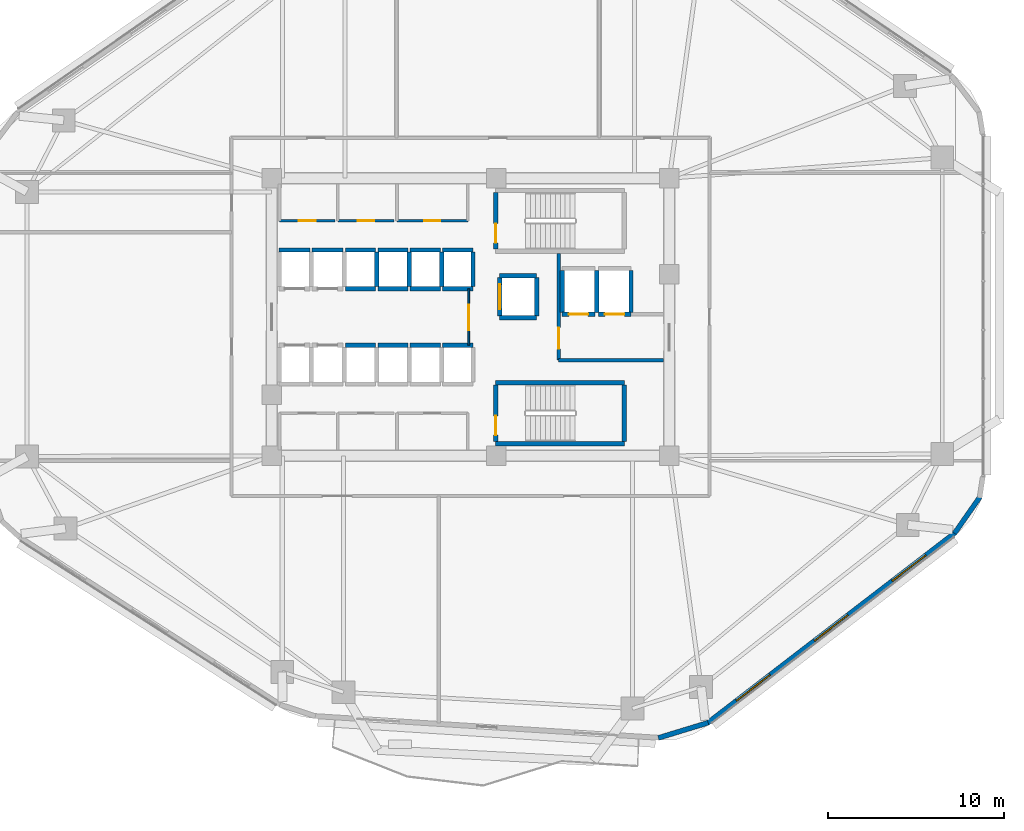
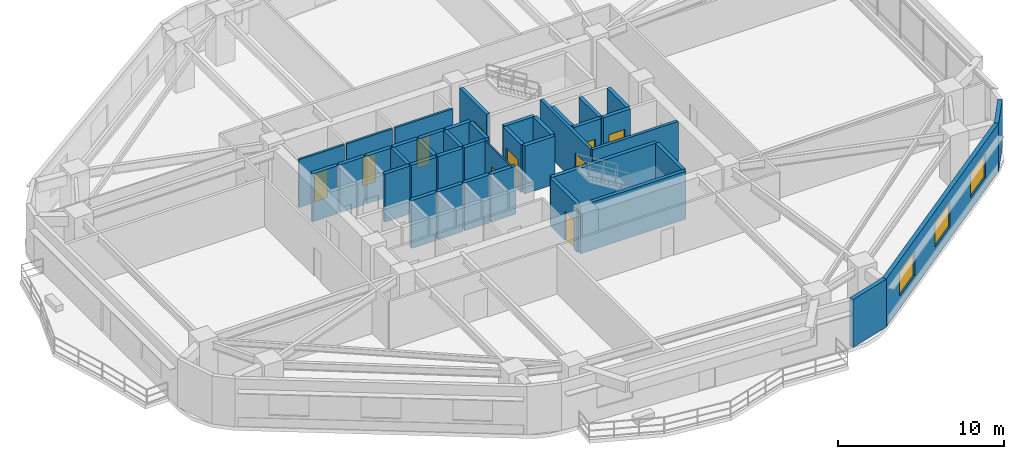
# One storey, part 9 of 14: 41 walls, 10 doors, 3 windows, 13 openings.
"""IFC4 building model written with IfcOpenShell, lengths in metres."""

from ifc_helpers import new_model, si_unit, direction, frame, frame_2d, origin, place, context, subcontext, project, spatial, rectangle, extrude, material, layer, layer_set, type_object, element, fill, save


model = new_model("IFC4")

# Units and contexts
model_context = context("Model", 3, precision=1e-05, world=origin(), true_north=direction((0.0, 1.0)))
body_context = subcontext(model_context, "Body", "Model", "MODEL_VIEW")
ifc_project = project(units=[si_unit("LENGTHUNIT", "METRE"), si_unit("AREAUNIT", "SQUARE_METRE"), si_unit("VOLUMEUNIT", "CUBIC_METRE"), si_unit("PLANEANGLEUNIT", "RADIAN"), si_unit("MASSUNIT", "GRAM", prefix="KILO")], contexts=[model_context])

# Site, building, storey
site_placement = place(None, origin())
site = spatial("IfcSite", under=ifc_project, at=site_placement, CompositionType="ELEMENT")
building_placement = place(site_placement, origin())
building = spatial("IfcBuilding", under=site, at=building_placement, Name="Zulverin Broadcast Headquarters", CompositionType="ELEMENT")
storey_placement = place(building_placement, frame((0.0, 0.0, 40.199951171875)))
storey = spatial("IfcBuildingStorey", under=building, at=storey_placement, Name="L09", CompositionType="ELEMENT", Elevation=40.199951171875)

# Wall, openings, windows
ifc_material_1 = material(Name="Insulated pale-metal clad concrete spandrel C40/50", Category="concrete")
ifc_layer_1 = layer(ifc_material_1, 0.280029296875, Name="Insulated pale-metal clad concrete spandrel C40/50", Category="concrete")
ifc_layer_set_1 = layer_set([ifc_layer_1], Name="Insulated pale-metal clad concrete spandrel C40/50")
wall_type_1 = type_object("IfcWallType", Name="WL-EXT-280", PredefinedType="STANDARD", material=ifc_layer_set_1)
wall_1_placement = place(storey_placement, frame((50.4287109375, 2.171630859375, 0.0), z_axis=(0.0, 0.0, 1.0), x_axis=(0.792937466367, 0.609303023488, 0.0)))
wall_1 = element("IfcWall", 1, at=wall_1_placement, inside=storey, type_object=wall_type_1, Name="L09 Pale-Metal Clad Spandrel Wall 2", PredefinedType="STANDARD", context=body_context, shape_type="SweptSolid", body=[
    extrude(rectangle(XDim=17.712890625, YDim=0.280029296875, at=frame_2d((8.8564453125, 0.0))), origin(), (0.0, 0.0, 1.0), 3.525146484375),
])
opening_1_placement = place(wall_1_placement, frame((2.08544921875, 0.0, 0.89990234375)))
opening_1 = element("IfcOpeningElement", 2, at=opening_1_placement, cuts=wall_1, Name="Opening W-L09-E21", PredefinedType="OPENING", context=body_context, shape_type="SweptSolid", body=[
    extrude(rectangle(XDim=2.39990234375, YDim=1.75, at=frame_2d((1.199951171875, 0.875))), frame((0.0, 0.14990234375, 0.0), z_axis=(0.0, -1.0, 0.0), x_axis=(1.0, 0.0, 0.0)), (0.0, 0.0, 1.0), 0.300048828125),
])
opening_2_placement = place(wall_1_placement, frame((7.656494140625, 0.0, 0.89990234375)))
opening_2 = element("IfcOpeningElement", 3, at=opening_2_placement, cuts=wall_1, Name="Opening W-L09-E22", PredefinedType="OPENING", context=body_context, shape_type="SweptSolid", body=[
    extrude(rectangle(XDim=2.39990234375, YDim=1.75, at=frame_2d((1.199951171875, 0.875))), frame((0.0, 0.14990234375, 0.0), z_axis=(0.0, -1.0, 0.0), x_axis=(1.0, 0.0, 0.0)), (0.0, 0.0, 1.0), 0.300048828125),
])
opening_3_placement = place(wall_1_placement, frame((13.227294921875, 0.0, 0.89990234375)))
opening_3 = element("IfcOpeningElement", 4, at=opening_3_placement, cuts=wall_1, Name="Opening W-L09-E23", PredefinedType="OPENING", context=body_context, shape_type="SweptSolid", body=[
    extrude(rectangle(XDim=2.39990234375, YDim=1.75, at=frame_2d((1.199951171875, 0.875))), frame((0.0, 0.14990234375, 0.0), z_axis=(0.0, -1.0, 0.0), x_axis=(1.0, 0.0, 0.0)), (0.0, 0.0, 1.0), 0.300048828125),
])
ifc_material_2 = material(Name="Pale anodized aluminium frame with solar-control low-E double glazing", Category="aluminium")
window_type = type_object("IfcWindowType", Name="WIN-RIB-2400", PartitioningType="SINGLE_PANEL", PredefinedType="WINDOW", material=ifc_material_2)
window_1_placement = place(opening_1_placement, origin())
window_1 = element("IfcWindow", 5, at=window_1_placement, inside=storey, type_object=window_type, Name="L09 Ribbon Glazing Window 2 1", OverallHeight=1.75, OverallWidth=2.39990234375, PartitioningType="SINGLE_PANEL", PredefinedType="WINDOW", context=body_context, shape_type="SweptSolid", body=[
    extrude(rectangle(XDim=2.39990234375, YDim=1.75, at=frame_2d((1.199951171875, 0.875))), frame((0.0, 0.030029296875, 0.0), z_axis=(0.0, -1.0, 0.0), x_axis=(1.0, 0.0, 0.0)), (0.0, 0.0, 1.0), 0.06005859375),
])
fill(opening_1, window_1)
window_2_placement = place(opening_2_placement, origin())
window_2 = element("IfcWindow", 6, at=window_2_placement, inside=storey, type_object=window_type, Name="L09 Ribbon Glazing Window 2 2", OverallHeight=1.75, OverallWidth=2.39990234375, PartitioningType="SINGLE_PANEL", PredefinedType="WINDOW", context=body_context, shape_type="SweptSolid", body=[
    extrude(rectangle(XDim=2.39990234375, YDim=1.75, at=frame_2d((1.199951171875, 0.875))), frame((0.0, 0.030029296875, 0.0), z_axis=(0.0, -1.0, 0.0), x_axis=(1.0, 0.0, 0.0)), (0.0, 0.0, 1.0), 0.06005859375),
])
fill(opening_2, window_2)
window_3_placement = place(opening_3_placement, origin())
window_3 = element("IfcWindow", 7, at=window_3_placement, inside=storey, type_object=window_type, Name="L09 Ribbon Glazing Window 2 3", OverallHeight=1.75, OverallWidth=2.39990234375, PartitioningType="SINGLE_PANEL", PredefinedType="WINDOW", context=body_context, shape_type="SweptSolid", body=[
    extrude(rectangle(XDim=2.39990234375, YDim=1.75, at=frame_2d((1.199951171875, 0.875))), frame((0.0, 0.030029296875, 0.0), z_axis=(0.0, -1.0, 0.0), x_axis=(1.0, 0.0, 0.0)), (0.0, 0.0, 1.0), 0.06005859375),
])
fill(opening_3, window_3)

# Walls
wall_2_placement = place(storey_placement, frame((47.649658203125, 1.3330078125, 0.0), z_axis=(0.0, 0.0, 1.0), x_axis=(0.956461287977, 0.291859220516, 0.0)))
element("IfcWall", 8, at=wall_2_placement, inside=storey, type_object=wall_type_1, Name="L09 Wind-Shaped Corner Spandrel Wall 1-1", PredefinedType="STANDARD", context=body_context, shape_type="SweptSolid", body=[
    extrude(rectangle(XDim=2.951904296875, YDim=0.280029296875, at=frame_2d((1.47607421875, 0.0))), origin(), (0.0, 0.0, 1.0), 3.525146484375),
])
wall_3_placement = place(storey_placement, frame((64.4443359375, 12.933349609375, 0.0), z_axis=(0.0, 0.0, 1.0), x_axis=(0.573176686443, 0.819431806875, 0.0)))
element("IfcWall", 9, at=wall_3_placement, inside=storey, type_object=wall_type_1, Name="L09 Wind-Shaped Corner Spandrel Wall 2-1", PredefinedType="STANDARD", context=body_context, shape_type="SweptSolid", body=[
    extrude(rectangle(XDim=2.524169921875, YDim=0.280029296875, at=frame_2d((1.26220703125, 0.0))), origin(), (0.0, 0.0, 1.0), 3.525146484375),
])

# Wall, opening, door
ifc_material_3 = material(Name="Concrete C40/50", Category="concrete")
ifc_layer_2 = layer(ifc_material_3, 0.199951171875, Name="Concrete C40/50", Category="concrete")
ifc_layer_set_2 = layer_set([ifc_layer_2], Name="Concrete C40/50")
wall_type_2 = type_object("IfcWallType", Name="WL-FFL-200", PredefinedType="SOLIDWALL", material=ifc_layer_set_2)
wall_4_placement = place(storey_placement, frame((42.0, 22.75, 0.0), z_axis=(0.0, 0.0, 1.0), x_axis=(0.0, 1.0, 0.0)))
wall_4 = element("IfcWall", 10, at=wall_4_placement, inside=storey, type_object=wall_type_2, Name="L09 Firefighting Lift Lobby West Wall", PredefinedType="SOLIDWALL", context=body_context, shape_type="SweptSolid", body=[
    extrude(rectangle(XDim=6.050048828125, YDim=0.199951171875, at=frame_2d((3.02490234375, 0.0))), origin(), (0.0, 0.0, 1.0), 3.525146484375),
])
opening_4_placement = place(wall_4_placement, frame((0.64990234375, 0.0, 0.0)))
opening_4 = element("IfcOpeningElement", 11, at=opening_4_placement, cuts=wall_4, Name="Opening D-L09-FFLW", PredefinedType="OPENING", context=body_context, shape_type="SweptSolid", body=[
    extrude(rectangle(XDim=1.199951171875, YDim=2.14990234375, at=frame_2d((0.60009765625, 1.074951171875))), frame((0.0, 0.10986328125, 0.0), z_axis=(0.0, -1.0, 0.0), x_axis=(1.0, 0.0, 0.0)), (0.0, 0.0, 1.0), 0.219970703125),
])
ifc_material_4 = material(Name="Fire-rated steel leaf and frame", Category="steel")
door_type_1 = type_object("IfcDoorType", Name="DR-FFL-1200", OperationType="SINGLE_SWING_RIGHT", PredefinedType="DOOR", material=ifc_material_4)
door_1_placement = place(opening_4_placement, origin())
door_1 = element("IfcDoor", 12, at=door_1_placement, inside=storey, type_object=door_type_1, Name="L09 Firefighting Lift Lobby Door", OperationType="SINGLE_SWING_RIGHT", OverallHeight=2.14990234375, OverallWidth=1.199951171875, PredefinedType="DOOR", context=body_context, shape_type="SweptSolid", body=[
    extrude(rectangle(XDim=1.199951171875, YDim=2.14990234375, at=frame_2d((0.60009765625, 1.074951171875))), frame((0.0, 0.02490234375, 0.0), z_axis=(0.0, -1.0, 0.0), x_axis=(1.0, 0.0, 0.0)), (0.0, 0.0, 1.0), 0.050048828125),
])
fill(opening_4, door_1)

# Wall
wall_5_placement = place(storey_placement, frame((42.0, 22.75, 0.0), z_axis=(0.0, 0.0, 1.0), x_axis=(1.0, 0.0, 0.0)))
element("IfcWall", 13, at=wall_5_placement, inside=storey, type_object=wall_type_2, Name="L09 Firefighting Lift Lobby South Wall", PredefinedType="SOLIDWALL", context=body_context, shape_type="SweptSolid", body=[
    extrude(rectangle(XDim=5.949951171875, YDim=0.199951171875, at=frame_2d((2.97509765625, 0.0))), origin(), (0.0, 0.0, 1.0), 3.525146484375),
])

# Wall, opening, door
ifc_material_5 = material(Name="Fire-rated acoustic laminated glass screen", Category="glass")
ifc_layer_3 = layer(ifc_material_5, 0.10009765625, Name="Fire-rated acoustic laminated glass screen", Category="glass")
ifc_layer_set_3 = layer_set([ifc_layer_3], Name="Fire-rated acoustic laminated glass screen")
wall_type_3 = type_object("IfcWallType", Name="WL-GLAZ-100", PredefinedType="PARTITIONING", material=ifc_layer_set_3)
wall_6_placement = place(storey_placement, frame((36.89990234375, 23.60009765625, 0.0), z_axis=(0.0, 0.0, 1.0), x_axis=(0.0, 1.0, 0.0)))
wall_6 = element("IfcWall", 14, at=wall_6_placement, inside=storey, type_object=wall_type_3, Name="L09 Core Goods & Stair Hall Screen", PredefinedType="PARTITIONING", context=body_context, shape_type="SweptSolid", body=[
    extrude(rectangle(XDim=3.199951171875, YDim=0.10009765625, at=frame_2d((1.60009765625, 0.0))), origin(), (0.0, 0.0, 1.0), 3.525146484375),
])
opening_5_placement = place(wall_6_placement, frame((0.85009765625, 0.0, 0.0)))
opening_5 = element("IfcOpeningElement", 15, at=opening_5_placement, cuts=wall_6, Name="Opening D-L09-CL3", PredefinedType="OPENING", context=body_context, shape_type="SweptSolid", body=[
    extrude(rectangle(XDim=1.449951171875, YDim=2.1201171875, at=frame_2d((0.72509765625, 1.06005859375))), frame((0.0, 0.06005859375, 0.0), z_axis=(0.0, -1.0, 0.0), x_axis=(1.0, 0.0, 0.0)), (0.0, 0.0, 1.0), 0.1201171875),
])
ifc_material_6 = material(Name="Fire-rated acoustic glazed double leaf", Category="glass")
door_type_2 = type_object("IfcDoorType", Name="DR-GLZ-1450", OperationType="DOUBLE_DOOR_SINGLE_SWING", PredefinedType="DOOR", material=ifc_material_6)
door_2_placement = place(opening_5_placement, origin())
door_2 = element("IfcDoor", 16, at=door_2_placement, inside=storey, type_object=door_type_2, Name="L09 Core Goods & Stair Hall Door", OperationType="DOUBLE_DOOR_SINGLE_SWING", OverallHeight=2.1201171875, OverallWidth=1.449951171875, PredefinedType="DOOR", context=body_context, shape_type="SweptSolid", body=[
    extrude(rectangle(XDim=1.449951171875, YDim=2.1201171875, at=frame_2d((0.72509765625, 1.06005859375))), frame((0.0, 0.02490234375, 0.0), z_axis=(0.0, -1.0, 0.0), x_axis=(1.0, 0.0, 0.0)), (0.0, 0.0, 1.0), 0.050048828125),
])
fill(opening_5, door_2)

ifc_material_7 = material(Name="Fire-rated gypsum stud partition", Category="gypsum")
ifc_layer_4 = layer(ifc_material_7, 0.14990234375, Name="Fire-rated gypsum stud partition", Category="gypsum")
ifc_layer_set_4 = layer_set([ifc_layer_4], Name="Fire-rated gypsum stud partition")
wall_type_4 = type_object("IfcWallType", Name="WL-PART-150", PredefinedType="PARTITIONING", material=ifc_layer_set_4)
wall_7_placement = place(storey_placement, frame((26.169921875, 30.64990234375, 0.0), z_axis=(0.0, 0.0, 1.0), x_axis=(1.0, 0.0, 0.0)))
wall_7 = element("IfcWall", 17, at=wall_7_placement, inside=storey, type_object=wall_type_4, Name="L09 Core Male WC Front Wall", PredefinedType="PARTITIONING", context=body_context, shape_type="SweptSolid", body=[
    extrude(rectangle(XDim=3.150146484375, YDim=0.14990234375, at=frame_2d((1.5751953125, 0.0))), origin(), (0.0, 0.0, 1.0), 3.525146484375),
])
opening_6_placement = place(wall_7_placement, frame((1.10009765625, 0.0, 0.0)))
opening_6 = element("IfcOpeningElement", 18, at=opening_6_placement, cuts=wall_7, Name="Opening D-L09-NC1", PredefinedType="OPENING", context=body_context, shape_type="SweptSolid", body=[
    extrude(rectangle(XDim=0.949951171875, YDim=2.10009765625, at=frame_2d((0.47509765625, 1.050048828125))), frame((0.0, 0.0849609375, 0.0), z_axis=(0.0, -1.0, 0.0), x_axis=(1.0, 0.0, 0.0)), (0.0, 0.0, 1.0), 0.169921875),
])
ifc_material_8 = material(Name="Fire-rated moisture-resistant laminate leaf", Category="wood")
door_type_3 = type_object("IfcDoorType", Name="DR-WC-950", OperationType="SINGLE_SWING_LEFT", PredefinedType="DOOR", material=ifc_material_8)
door_3_placement = place(opening_6_placement, origin())
door_3 = element("IfcDoor", 19, at=door_3_placement, inside=storey, type_object=door_type_3, Name="L09 Male WC Door", OperationType="SINGLE_SWING_LEFT", OverallHeight=2.10009765625, OverallWidth=0.949951171875, PredefinedType="DOOR", context=body_context, shape_type="SweptSolid", body=[
    extrude(rectangle(XDim=0.949951171875, YDim=2.10009765625, at=frame_2d((0.47509765625, 1.050048828125))), frame((0.0, 0.02490234375, 0.0), z_axis=(0.0, -1.0, 0.0), x_axis=(1.0, 0.0, 0.0)), (0.0, 0.0, 1.0), 0.050048828125),
])
fill(opening_6, door_3)

wall_8_placement = place(storey_placement, frame((29.47998046875, 30.64990234375, 0.0), z_axis=(0.0, 0.0, 1.0), x_axis=(1.0, 0.0, 0.0)))
wall_8 = element("IfcWall", 20, at=wall_8_placement, inside=storey, type_object=wall_type_4, Name="L09 Core Accessible WC Front Wall", PredefinedType="PARTITIONING", context=body_context, shape_type="SweptSolid", body=[
    extrude(rectangle(XDim=3.18994140625, YDim=0.14990234375, at=frame_2d((1.594970703125, 0.0))), origin(), (0.0, 0.0, 1.0), 3.525146484375),
])
opening_7_placement = place(wall_8_placement, frame((1.1201171875, 0.0, 0.0)))
opening_7 = element("IfcOpeningElement", 21, at=opening_7_placement, cuts=wall_8, Name="Opening D-L09-NC2", PredefinedType="OPENING", context=body_context, shape_type="SweptSolid", body=[
    extrude(rectangle(XDim=0.949951171875, YDim=2.10009765625, at=frame_2d((0.47509765625, 1.050048828125))), frame((0.0, 0.0849609375, 0.0), z_axis=(0.0, -1.0, 0.0), x_axis=(1.0, 0.0, 0.0)), (0.0, 0.0, 1.0), 0.169921875),
])
door_4_placement = place(opening_7_placement, origin())
door_4 = element("IfcDoor", 22, at=door_4_placement, inside=storey, type_object=door_type_3, Name="L09 Accessible WC Door", OperationType="SINGLE_SWING_RIGHT", OverallHeight=2.10009765625, OverallWidth=0.949951171875, PredefinedType="DOOR", context=body_context, shape_type="SweptSolid", body=[
    extrude(rectangle(XDim=0.949951171875, YDim=2.10009765625, at=frame_2d((0.47509765625, 1.050048828125))), frame((0.0, 0.02490234375, 0.0), z_axis=(0.0, -1.0, 0.0), x_axis=(1.0, 0.0, 0.0)), (0.0, 0.0, 1.0), 0.050048828125),
])
fill(opening_7, door_4)

wall_9_placement = place(storey_placement, frame((32.830078125, 30.64990234375, 0.0), z_axis=(0.0, 0.0, 1.0), x_axis=(1.0, 0.0, 0.0)))
wall_9 = element("IfcWall", 23, at=wall_9_placement, inside=storey, type_object=wall_type_4, Name="L09 Core Electrical Distribution Riser Front Wall", PredefinedType="PARTITIONING", context=body_context, shape_type="SweptSolid", body=[
    extrude(rectangle(XDim=4.02001953125, YDim=0.14990234375, at=frame_2d((2.010009765625, 0.0))), origin(), (0.0, 0.0, 1.0), 3.525146484375),
])
opening_8_placement = place(wall_9_placement, frame((1.56005859375, 0.0, 0.0)))
opening_8 = element("IfcOpeningElement", 24, at=opening_8_placement, cuts=wall_9, Name="Opening D-L09-NC3", PredefinedType="OPENING", context=body_context, shape_type="SweptSolid", body=[
    extrude(rectangle(XDim=0.89990234375, YDim=2.10009765625, at=frame_2d((0.449951171875, 1.050048828125))), frame((0.0, 0.0849609375, 0.0), z_axis=(0.0, -1.0, 0.0), x_axis=(1.0, 0.0, 0.0)), (0.0, 0.0, 1.0), 0.169921875),
])
ifc_material_9 = material(Name="Powder-coated steel access leaf", Category="steel")
door_type_4 = type_object("IfcDoorType", Name="DR-RISER-900", OperationType="SINGLE_SWING_LEFT", PredefinedType="DOOR", material=ifc_material_9)
door_5_placement = place(opening_8_placement, origin())
door_5 = element("IfcDoor", 25, at=door_5_placement, inside=storey, type_object=door_type_4, Name="L09 Electrical Distribution Riser Door", OperationType="SINGLE_SWING_LEFT", OverallHeight=2.10009765625, OverallWidth=0.89990234375, PredefinedType="DOOR", context=body_context, shape_type="SweptSolid", body=[
    extrude(rectangle(XDim=0.89990234375, YDim=2.10009765625, at=frame_2d((0.449951171875, 1.050048828125))), frame((0.0, 0.02490234375, 0.0), z_axis=(0.0, -1.0, 0.0), x_axis=(1.0, 0.0, 0.0)), (0.0, 0.0, 1.0), 0.050048828125),
])
fill(opening_8, door_5)

ifc_material_10 = material(Name="Concrete C50/60", Category="concrete")
ifc_layer_5 = layer(ifc_material_10, 0.25, Name="Concrete C50/60", Category="concrete")
ifc_layer_set_5 = layer_set([ifc_layer_5], Name="Concrete C50/60")
wall_type_5 = type_object("IfcWallType", Name="WL-SHAFT-250", PredefinedType="SHEAR", material=ifc_layer_set_5)
wall_10_placement = place(storey_placement, frame((38.425048828125, 29.050048828125, 0.0), z_axis=(0.0, 0.0, 1.0), x_axis=(0.0, 1.0, 0.0)))
wall_10 = element("IfcWall", 26, at=wall_10_placement, inside=storey, type_object=wall_type_5, Name="L09 ST-1 Enclosure Wall W", PredefinedType="SHEAR", context=body_context, shape_type="SweptSolid", body=[
    extrude(rectangle(XDim=3.199951171875, YDim=0.25, at=frame_2d((1.60009765625, 0.0))), origin(), (0.0, 0.0, 1.0), 3.525146484375),
])
opening_9_placement = place(wall_10_placement, frame((0.35009765625, 0.0, 0.0)))
opening_9 = element("IfcOpeningElement", 27, at=opening_9_placement, cuts=wall_10, Name="Opening D-L09-ST-1", PredefinedType="OPENING", context=body_context, shape_type="SweptSolid", body=[
    extrude(rectangle(XDim=1.10009765625, YDim=2.14990234375, at=frame_2d((0.550048828125, 1.074951171875))), frame((0.0, 0.135009765625, 0.0), z_axis=(0.0, -1.0, 0.0), x_axis=(1.0, 0.0, 0.0)), (0.0, 0.0, 1.0), 0.27001953125),
])
door_type_5 = type_object("IfcDoorType", Name="DR-STAIR-1100", OperationType="SINGLE_SWING_LEFT", PredefinedType="DOOR", material=ifc_material_4)
door_6_placement = place(opening_9_placement, origin())
door_6 = element("IfcDoor", 28, at=door_6_placement, inside=storey, type_object=door_type_5, Name="L09 Exit Stair ST-1 Fire Door", OperationType="SINGLE_SWING_LEFT", OverallHeight=2.14990234375, OverallWidth=1.10009765625, PredefinedType="DOOR", context=body_context, shape_type="SweptSolid", body=[
    extrude(rectangle(XDim=1.10009765625, YDim=2.14990234375, at=frame_2d((0.550048828125, 1.074951171875))), frame((0.0, 0.02490234375, 0.0), z_axis=(0.0, -1.0, 0.0), x_axis=(1.0, 0.0, 0.0)), (0.0, 0.0, 1.0), 0.050048828125),
])
fill(opening_9, door_6)

# Walls
for number, where, z_axis, x_axis, name in (
    (29, (38.425048828125, 18.02490234375, 0.0), (0.0, 0.0, 1.0), (1.0, 0.0, 0.0), "L09 ST-2 Enclosure Wall S"),
    (30, (38.425048828125, 21.47509765625, 0.0), (0.0, 0.0, 1.0), (1.0, 0.0, 0.0), "L09 ST-2 Enclosure Wall N"),
):
    element("IfcWall", number, at=place(storey_placement, frame(where, z_axis=z_axis, x_axis=x_axis)), inside=storey, type_object=wall_type_5, Name=name, PredefinedType="SHEAR", context=body_context, shape_type="SweptSolid", body=[
        extrude(rectangle(XDim=7.300048828125, YDim=0.25, at=frame_2d((3.64990234375, 0.0))), origin(), (0.0, 0.0, 1.0), 3.525146484375),
    ])

# Wall, opening, door
wall_11_placement = place(storey_placement, frame((38.425048828125, 18.14990234375, 0.0), z_axis=(0.0, 0.0, 1.0), x_axis=(0.0, 1.0, 0.0)))
wall_11 = element("IfcWall", 31, at=wall_11_placement, inside=storey, type_object=wall_type_5, Name="L09 ST-2 Enclosure Wall W", PredefinedType="SHEAR", context=body_context, shape_type="SweptSolid", body=[
    extrude(rectangle(XDim=3.2001953125, YDim=0.25, at=frame_2d((1.60009765625, 0.0))), origin(), (0.0, 0.0, 1.0), 3.525146484375),
])
opening_10_placement = place(wall_11_placement, frame((0.35009765625, 0.0, 0.0)))
opening_10 = element("IfcOpeningElement", 32, at=opening_10_placement, cuts=wall_11, Name="Opening D-L09-ST-2", PredefinedType="OPENING", context=body_context, shape_type="SweptSolid", body=[
    extrude(rectangle(XDim=1.10009765625, YDim=2.14990234375, at=frame_2d((0.550048828125, 1.074951171875))), frame((0.0, 0.135009765625, 0.0), z_axis=(0.0, -1.0, 0.0), x_axis=(1.0, 0.0, 0.0)), (0.0, 0.0, 1.0), 0.27001953125),
])
door_7_placement = place(opening_10_placement, origin())
door_7 = element("IfcDoor", 33, at=door_7_placement, inside=storey, type_object=door_type_5, Name="L09 Exit Stair ST-2 Fire Door", OperationType="SINGLE_SWING_RIGHT", OverallHeight=2.14990234375, OverallWidth=1.10009765625, PredefinedType="DOOR", context=body_context, shape_type="SweptSolid", body=[
    extrude(rectangle(XDim=1.10009765625, YDim=2.14990234375, at=frame_2d((0.550048828125, 1.074951171875))), frame((0.0, 0.02490234375, 0.0), z_axis=(0.0, -1.0, 0.0), x_axis=(1.0, 0.0, 0.0)), (0.0, 0.0, 1.0), 0.050048828125),
])
fill(opening_10, door_7)

# Walls
wall_12_placement = place(storey_placement, frame((45.72509765625, 18.14990234375, 0.0), z_axis=(0.0, 0.0, 1.0), x_axis=(0.0, 1.0, 0.0)))
element("IfcWall", 34, at=wall_12_placement, inside=storey, type_object=wall_type_5, Name="L09 ST-2 Enclosure Wall E", PredefinedType="SHEAR", context=body_context, shape_type="SweptSolid", body=[
    extrude(rectangle(XDim=3.2001953125, YDim=0.25, at=frame_2d((1.60009765625, 0.0))), origin(), (0.0, 0.0, 1.0), 3.525146484375),
])
for number, where, z_axis, x_axis, name in (
    (35, (26.14990234375, 29.0, 0.0), (0.0, 0.0, 1.0), (1.0, 0.0, 0.0), "L09 Lift PL-L1 Shaft Wall N"),
    (36, (28.02001953125, 29.0, 0.0), (0.0, 0.0, 1.0), (1.0, 0.0, 0.0), "L09 Lift PL-L2 Shaft Wall N"),
):
    element("IfcWall", number, at=place(storey_placement, frame(where, z_axis=z_axis, x_axis=x_axis)), inside=storey, type_object=wall_type_5, Name=name, PredefinedType="SHEAR", context=body_context, shape_type="SweptSolid", body=[
        extrude(rectangle(XDim=1.75, YDim=0.25, at=frame_2d((0.875, 0.0))), origin(), (0.0, 0.0, 1.0), 3.525146484375),
    ])
wall_13_placement = place(storey_placement, frame((29.89990234375, 23.60009765625, 0.0), z_axis=(0.0, 0.0, 1.0), x_axis=(1.0, 0.0, 0.0)))
element("IfcWall", 37, at=wall_13_placement, inside=storey, type_object=wall_type_5, Name="L09 Lift PL-M1 Shaft Wall N", PredefinedType="SHEAR", context=body_context, shape_type="SweptSolid", body=[
    extrude(rectangle(XDim=1.72021484375, YDim=0.25, at=frame_2d((0.860107421875, 0.0))), origin(), (0.0, 0.0, 1.0), 3.525146484375),
])
for number, where, z_axis, x_axis, name in (
    (38, (31.739990234375, 23.60009765625, 0.0), (0.0, 0.0, 1.0), (1.0, 0.0, 0.0), "L09 Lift PL-M2 Shaft Wall N"),
    (39, (33.580078125, 23.60009765625, 0.0), (0.0, 0.0, 1.0), (1.0, 0.0, 0.0), "L09 Lift PL-M3 Shaft Wall N"),
    (40, (35.419921875, 23.60009765625, 0.0), (0.0, 0.0, 1.0), (1.0, 0.0, 0.0), "L09 Lift PL-M4 Shaft Wall N"),
):
    element("IfcWall", number, at=place(storey_placement, frame(where, z_axis=z_axis, x_axis=x_axis)), inside=storey, type_object=wall_type_5, Name=name, PredefinedType="SHEAR", context=body_context, shape_type="SweptSolid", body=[
        extrude(rectangle(XDim=1.719970703125, YDim=0.25, at=frame_2d((0.85986328125, 0.0))), origin(), (0.0, 0.0, 1.0), 3.525146484375),
    ])
for number, where, z_axis, x_axis, name in (
    (41, (29.89990234375, 26.800048828125, 0.0), (0.0, 0.0, 1.0), (1.0, 0.0, 0.0), "L09 Lift PL-H1 Shaft Wall S"),
    (42, (29.89990234375, 29.0, 0.0), (0.0, 0.0, 1.0), (1.0, 0.0, 0.0), "L09 Lift PL-H1 Shaft Wall N"),
):
    element("IfcWall", number, at=place(storey_placement, frame(where, z_axis=z_axis, x_axis=x_axis)), inside=storey, type_object=wall_type_5, Name=name, PredefinedType="SHEAR", context=body_context, shape_type="SweptSolid", body=[
        extrude(rectangle(XDim=1.72021484375, YDim=0.25, at=frame_2d((0.860107421875, 0.0))), origin(), (0.0, 0.0, 1.0), 3.525146484375),
    ])
wall_14_placement = place(storey_placement, frame((31.679931640625, 26.919921875, 0.0), z_axis=(0.0, 0.0, 1.0), x_axis=(0.0, 1.0, 0.0)))
element("IfcWall", 43, at=wall_14_placement, inside=storey, type_object=wall_type_5, Name="L09 Lift PL-H1 Shaft Wall E", PredefinedType="SHEAR", context=body_context, shape_type="SweptSolid", body=[
    extrude(rectangle(XDim=1.9599609375, YDim=0.25, at=frame_2d((0.97998046875, 0.0))), origin(), (0.0, 0.0, 1.0), 3.525146484375),
])
for number, where, z_axis, x_axis, name in (
    (44, (31.739990234375, 26.800048828125, 0.0), (0.0, 0.0, 1.0), (1.0, 0.0, 0.0), "L09 Lift PL-H2 Shaft Wall S"),
    (45, (31.739990234375, 29.0, 0.0), (0.0, 0.0, 1.0), (1.0, 0.0, 0.0), "L09 Lift PL-H2 Shaft Wall N"),
):
    element("IfcWall", number, at=place(storey_placement, frame(where, z_axis=z_axis, x_axis=x_axis)), inside=storey, type_object=wall_type_5, Name=name, PredefinedType="SHEAR", context=body_context, shape_type="SweptSolid", body=[
        extrude(rectangle(XDim=1.719970703125, YDim=0.25, at=frame_2d((0.85986328125, 0.0))), origin(), (0.0, 0.0, 1.0), 3.525146484375),
    ])
wall_15_placement = place(storey_placement, frame((33.52001953125, 26.919921875, 0.0), z_axis=(0.0, 0.0, 1.0), x_axis=(0.0, 1.0, 0.0)))
element("IfcWall", 46, at=wall_15_placement, inside=storey, type_object=wall_type_5, Name="L09 Lift PL-H2 Shaft Wall E", PredefinedType="SHEAR", context=body_context, shape_type="SweptSolid", body=[
    extrude(rectangle(XDim=1.9599609375, YDim=0.25, at=frame_2d((0.97998046875, 0.0))), origin(), (0.0, 0.0, 1.0), 3.525146484375),
])
for number, where, z_axis, x_axis, name in (
    (47, (33.580078125, 26.800048828125, 0.0), (0.0, 0.0, 1.0), (1.0, 0.0, 0.0), "L09 Lift PL-H3 Shaft Wall S"),
    (48, (33.580078125, 29.0, 0.0), (0.0, 0.0, 1.0), (1.0, 0.0, 0.0), "L09 Lift PL-H3 Shaft Wall N"),
):
    element("IfcWall", number, at=place(storey_placement, frame(where, z_axis=z_axis, x_axis=x_axis)), inside=storey, type_object=wall_type_5, Name=name, PredefinedType="SHEAR", context=body_context, shape_type="SweptSolid", body=[
        extrude(rectangle(XDim=1.719970703125, YDim=0.25, at=frame_2d((0.85986328125, 0.0))), origin(), (0.0, 0.0, 1.0), 3.525146484375),
    ])
wall_16_placement = place(storey_placement, frame((35.360107421875, 26.919921875, 0.0), z_axis=(0.0, 0.0, 1.0), x_axis=(0.0, 1.0, 0.0)))
element("IfcWall", 49, at=wall_16_placement, inside=storey, type_object=wall_type_5, Name="L09 Lift PL-H3 Shaft Wall E", PredefinedType="SHEAR", context=body_context, shape_type="SweptSolid", body=[
    extrude(rectangle(XDim=1.9599609375, YDim=0.25, at=frame_2d((0.97998046875, 0.0))), origin(), (0.0, 0.0, 1.0), 3.525146484375),
])
for number, where, z_axis, x_axis, name in (
    (50, (35.419921875, 26.800048828125, 0.0), (0.0, 0.0, 1.0), (1.0, 0.0, 0.0), "L09 Lift PL-H4 Shaft Wall S"),
    (51, (35.419921875, 29.0, 0.0), (0.0, 0.0, 1.0), (1.0, 0.0, 0.0), "L09 Lift PL-H4 Shaft Wall N"),
):
    element("IfcWall", number, at=place(storey_placement, frame(where, z_axis=z_axis, x_axis=x_axis)), inside=storey, type_object=wall_type_5, Name=name, PredefinedType="SHEAR", context=body_context, shape_type="SweptSolid", body=[
        extrude(rectangle(XDim=1.719970703125, YDim=0.25, at=frame_2d((0.85986328125, 0.0))), origin(), (0.0, 0.0, 1.0), 3.525146484375),
    ])
wall_17_placement = place(storey_placement, frame((37.139892578125, 26.919921875, 0.0), z_axis=(0.0, 0.0, 1.0), x_axis=(0.0, 1.0, 0.0)))
element("IfcWall", 52, at=wall_17_placement, inside=storey, type_object=wall_type_5, Name="L09 Lift PL-H4 Shaft Wall E", PredefinedType="SHEAR", context=body_context, shape_type="SweptSolid", body=[
    extrude(rectangle(XDim=1.9599609375, YDim=0.25, at=frame_2d((0.97998046875, 0.0))), origin(), (0.0, 0.0, 1.0), 3.525146484375),
])

# Wall, opening, door
wall_18_placement = place(storey_placement, frame((42.199951171875, 25.35009765625, 0.0), z_axis=(0.0, 0.0, 1.0), x_axis=(1.0, 0.0, 0.0)))
wall_18 = element("IfcWall", 53, at=wall_18_placement, inside=storey, type_object=wall_type_5, Name="L09 Lift FFL-1 Shaft Wall S", PredefinedType="SHEAR", context=body_context, shape_type="SweptSolid", body=[
    extrude(rectangle(XDim=1.85009765625, YDim=0.25, at=frame_2d((0.925048828125, 0.0))), origin(), (0.0, 0.0, 1.0), 3.525146484375),
])
opening_11_placement = place(wall_18_placement, frame((0.375, 0.0, 0.0)))
opening_11 = element("IfcOpeningElement", 54, at=opening_11_placement, cuts=wall_18, Name="Opening LD-FFL-1-L09", PredefinedType="OPENING", context=body_context, shape_type="SweptSolid", body=[
    extrude(rectangle(XDim=1.10009765625, YDim=2.14990234375, at=frame_2d((0.550048828125, 1.074951171875))), frame((0.0, 0.135009765625, 0.0), z_axis=(0.0, -1.0, 0.0), x_axis=(1.0, 0.0, 0.0)), (0.0, 0.0, 1.0), 0.27001953125),
])
ifc_material_11 = material(Name="Fire-rated stainless landing door", Category="steel")
door_type_6 = type_object("IfcDoorType", Name="LD-FFL-1100", OperationType="DOUBLE_DOOR_SLIDING", PredefinedType="DOOR", material=ifc_material_11)
door_8_placement = place(opening_11_placement, origin())
door_8 = element("IfcDoor", 55, at=door_8_placement, inside=storey, type_object=door_type_6, Name="L09 Lift FFL-1 Sliding Landing Door", OperationType="DOUBLE_DOOR_SLIDING", OverallHeight=2.14990234375, OverallWidth=1.10009765625, PredefinedType="DOOR", context=body_context, shape_type="SweptSolid", body=[
    extrude(rectangle(XDim=1.10009765625, YDim=2.14990234375, at=frame_2d((0.550048828125, 1.074951171875))), frame((0.0, 0.02490234375, 0.0), z_axis=(0.0, -1.0, 0.0), x_axis=(1.0, 0.0, 0.0)), (0.0, 0.0, 1.0), 0.050048828125),
])
fill(opening_11, door_8)

# Walls
for number, where, z_axis, x_axis, name in (
    (56, (42.199951171875, 25.469970703125, 0.0), (0.0, 0.0, 1.0), (0.0, 1.0, 0.0), "L09 Lift FFL-1 Shaft Wall W"),
    (57, (44.14990234375, 25.469970703125, 0.0), (0.0, 0.0, 1.0), (0.0, 1.0, 0.0), "L09 Lift FFL-1 Shaft Wall E"),
):
    element("IfcWall", number, at=place(storey_placement, frame(where, z_axis=z_axis, x_axis=x_axis)), inside=storey, type_object=wall_type_5, Name=name, PredefinedType="SHEAR", context=body_context, shape_type="SweptSolid", body=[
        extrude(rectangle(XDim=2.360107421875, YDim=0.25, at=frame_2d((1.18017578125, 0.0))), origin(), (0.0, 0.0, 1.0), 3.525146484375),
    ])

# Wall, opening, door
wall_19_placement = place(storey_placement, frame((44.25, 25.35009765625, 0.0), z_axis=(0.0, 0.0, 1.0), x_axis=(1.0, 0.0, 0.0)))
wall_19 = element("IfcWall", 58, at=wall_19_placement, inside=storey, type_object=wall_type_5, Name="L09 Lift FFL-2 Shaft Wall S", PredefinedType="SHEAR", context=body_context, shape_type="SweptSolid", body=[
    extrude(rectangle(XDim=1.85009765625, YDim=0.25, at=frame_2d((0.925048828125, 0.0))), origin(), (0.0, 0.0, 1.0), 3.525146484375),
])
opening_12_placement = place(wall_19_placement, frame((0.375, 0.0, 0.0)))
opening_12 = element("IfcOpeningElement", 59, at=opening_12_placement, cuts=wall_19, Name="Opening LD-FFL-2-L09", PredefinedType="OPENING", context=body_context, shape_type="SweptSolid", body=[
    extrude(rectangle(XDim=1.10009765625, YDim=2.14990234375, at=frame_2d((0.550048828125, 1.074951171875))), frame((0.0, 0.135009765625, 0.0), z_axis=(0.0, -1.0, 0.0), x_axis=(1.0, 0.0, 0.0)), (0.0, 0.0, 1.0), 0.27001953125),
])
door_9_placement = place(opening_12_placement, origin())
door_9 = element("IfcDoor", 60, at=door_9_placement, inside=storey, type_object=door_type_6, Name="L09 Lift FFL-2 Sliding Landing Door", OperationType="DOUBLE_DOOR_SLIDING", OverallHeight=2.14990234375, OverallWidth=1.10009765625, PredefinedType="DOOR", context=body_context, shape_type="SweptSolid", body=[
    extrude(rectangle(XDim=1.10009765625, YDim=2.14990234375, at=frame_2d((0.550048828125, 1.074951171875))), frame((0.0, 0.02490234375, 0.0), z_axis=(0.0, -1.0, 0.0), x_axis=(1.0, 0.0, 0.0)), (0.0, 0.0, 1.0), 0.050048828125),
])
fill(opening_12, door_9)

# Walls
wall_20_placement = place(storey_placement, frame((46.10009765625, 25.469970703125, 0.0), z_axis=(0.0, 0.0, 1.0), x_axis=(0.0, 1.0, 0.0)))
element("IfcWall", 61, at=wall_20_placement, inside=storey, type_object=wall_type_5, Name="L09 Lift FFL-2 Shaft Wall E", PredefinedType="SHEAR", context=body_context, shape_type="SweptSolid", body=[
    extrude(rectangle(XDim=2.360107421875, YDim=0.25, at=frame_2d((1.18017578125, 0.0))), origin(), (0.0, 0.0, 1.0), 3.525146484375),
])
for number, where, z_axis, x_axis, name in (
    (62, (38.64990234375, 25.14990234375, 0.0), (0.0, 0.0, 1.0), (1.0, 0.0, 0.0), "L09 Lift SVL-1 Shaft Wall S"),
    (63, (38.64990234375, 27.550048828125, 0.0), (0.0, 0.0, 1.0), (1.0, 0.0, 0.0), "L09 Lift SVL-1 Shaft Wall N"),
):
    element("IfcWall", number, at=place(storey_placement, frame(where, z_axis=z_axis, x_axis=x_axis)), inside=storey, type_object=wall_type_5, Name=name, PredefinedType="SHEAR", context=body_context, shape_type="SweptSolid", body=[
        extrude(rectangle(XDim=2.10009765625, YDim=0.25, at=frame_2d((1.050048828125, 0.0))), origin(), (0.0, 0.0, 1.0), 3.525146484375),
    ])

# Wall, opening, door
wall_21_placement = place(storey_placement, frame((38.64990234375, 25.27001953125, 0.0), z_axis=(0.0, 0.0, 1.0), x_axis=(0.0, 1.0, 0.0)))
wall_21 = element("IfcWall", 64, at=wall_21_placement, inside=storey, type_object=wall_type_5, Name="L09 Lift SVL-1 Shaft Wall W", PredefinedType="SHEAR", context=body_context, shape_type="SweptSolid", body=[
    extrude(rectangle(XDim=2.159912109375, YDim=0.25, at=frame_2d((1.080078125, 0.0))), origin(), (0.0, 0.0, 1.0), 3.525146484375),
])
opening_13_placement = place(wall_21_placement, frame((0.3798828125, 0.0, 0.0)))
opening_13 = element("IfcOpeningElement", 65, at=opening_13_placement, cuts=wall_21, Name="Opening LD-SVL-1-L09", PredefinedType="OPENING", context=body_context, shape_type="SweptSolid", body=[
    extrude(rectangle(XDim=1.39990234375, YDim=2.199951171875, at=frame_2d((0.699951171875, 1.10009765625))), frame((0.0, 0.135009765625, 0.0), z_axis=(0.0, -1.0, 0.0), x_axis=(1.0, 0.0, 0.0)), (0.0, 0.0, 1.0), 0.27001953125),
])
ifc_material_12 = material(Name="Heavy-duty stainless landing door", Category="steel")
door_type_7 = type_object("IfcDoorType", Name="LD-GOODS-1400", OperationType="DOUBLE_DOOR_SLIDING", PredefinedType="DOOR", material=ifc_material_12)
door_10_placement = place(opening_13_placement, origin())
door_10 = element("IfcDoor", 66, at=door_10_placement, inside=storey, type_object=door_type_7, Name="L09 Lift SVL-1 Sliding Landing Door", OperationType="DOUBLE_DOOR_SLIDING", OverallHeight=2.199951171875, OverallWidth=1.39990234375, PredefinedType="DOOR", context=body_context, shape_type="SweptSolid", body=[
    extrude(rectangle(XDim=1.39990234375, YDim=2.199951171875, at=frame_2d((0.699951171875, 1.10009765625))), frame((0.0, 0.02490234375, 0.0), z_axis=(0.0, -1.0, 0.0), x_axis=(1.0, 0.0, 0.0)), (0.0, 0.0, 1.0), 0.050048828125),
])
fill(opening_13, door_10)

# Wall
wall_22_placement = place(storey_placement, frame((40.75, 25.27001953125, 0.0), z_axis=(0.0, 0.0, 1.0), x_axis=(0.0, 1.0, 0.0)))
element("IfcWall", 67, at=wall_22_placement, inside=storey, type_object=wall_type_5, Name="L09 Lift SVL-1 Shaft Wall E", PredefinedType="SHEAR", context=body_context, shape_type="SweptSolid", body=[
    extrude(rectangle(XDim=2.159912109375, YDim=0.25, at=frame_2d((1.080078125, 0.0))), origin(), (0.0, 0.0, 1.0), 3.525146484375),
])

save(model, "model.ifc")
